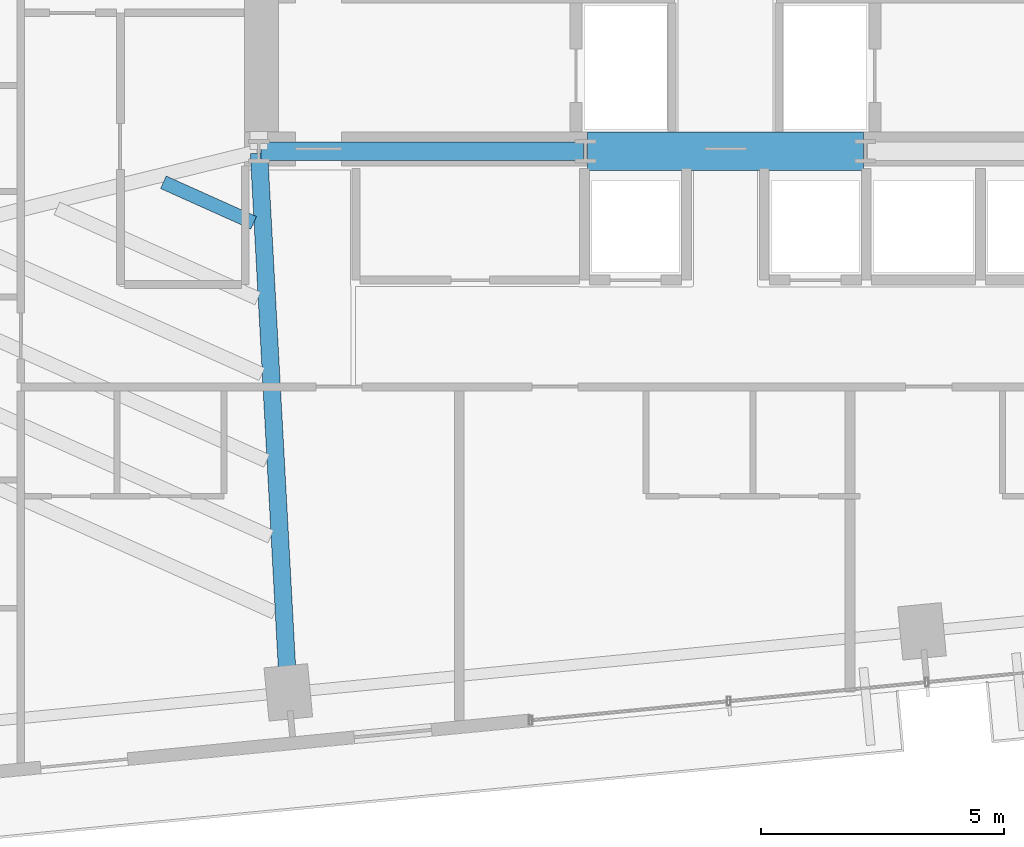
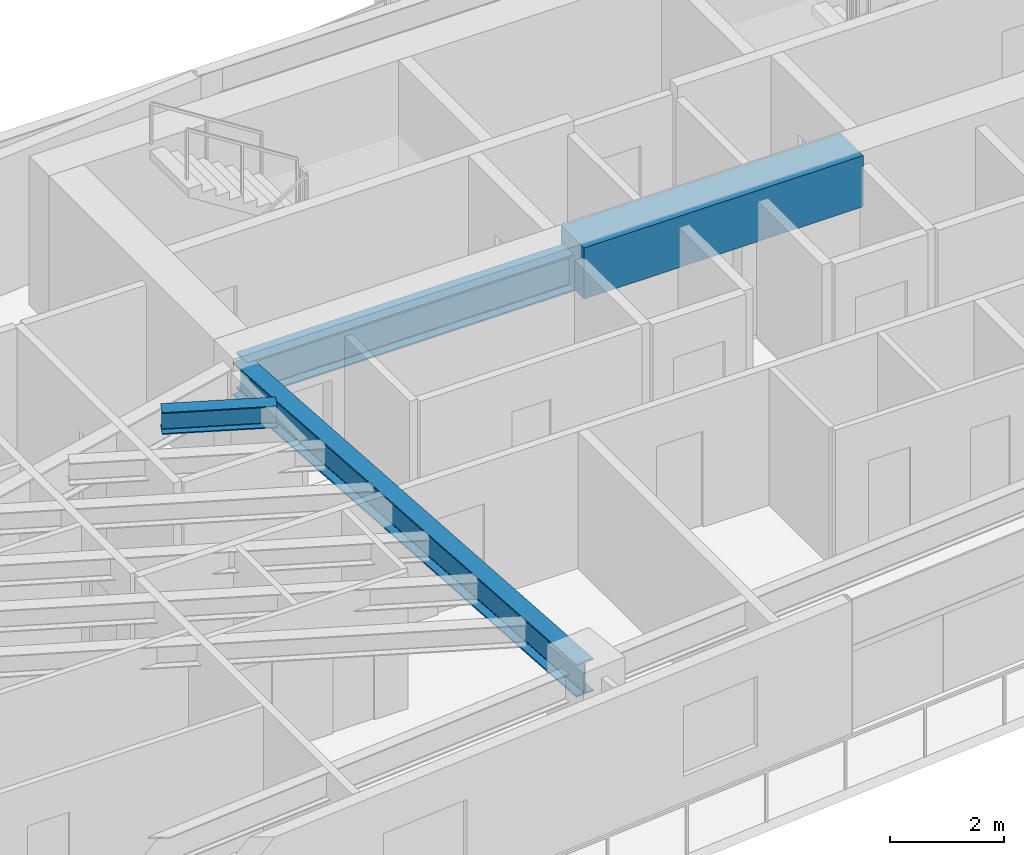
# One storey, part 7 of 25: 4 beams.
"""IFC4 building model written with IfcOpenShell, lengths in metres."""

from ifc_helpers import new_model, si_unit, direction, frame, origin, origin_2d, place, context, subcontext, project, spatial, rectangle, i_section, extrude, source, transform, mapped, material, material_profile, profile_set, type_object, type_shapes, element, save


model = new_model("IFC4")

# Units and contexts
model_context = context("Model", 3, precision=1e-05, world=origin(), true_north=direction((0.0, 1.0)))
body_context = subcontext(model_context, "Body", "Model", "MODEL_VIEW")
ifc_project = project(units=[si_unit("LENGTHUNIT", "METRE"), si_unit("AREAUNIT", "SQUARE_METRE"), si_unit("VOLUMEUNIT", "CUBIC_METRE"), si_unit("PLANEANGLEUNIT", "RADIAN"), si_unit("MASSUNIT", "GRAM", prefix="KILO")], contexts=[model_context])

# Site, building, storey
site_placement = place(None, origin())
site = spatial("IfcSite", under=ifc_project, at=site_placement, CompositionType="ELEMENT")
building_placement = place(site_placement, origin())
building = spatial("IfcBuilding", under=site, at=building_placement, Name="Astriad Promenade Condominiums", CompositionType="ELEMENT")
storey_placement = place(building_placement, frame((0.0, 0.0, 106.60009765625)))
storey = spatial("IfcBuildingStorey", under=building, at=storey_placement, Name="L30", CompositionType="ELEMENT", Elevation=106.60009765625)

# Beams
ifc_material_1 = material(Name="Steel ASTM A992 Grade 50", Category="steel")
ifc_material_profile_1 = material_profile(ifc_material_1, i_section(OverallWidth=0.3837890625, OverallDepth=0.785888671875, WebThickness=0.019775390625, FlangeThickness=0.033447265625, FilletRadius=0.021484375, at=origin_2d()), Name="W30X211")
ifc_profile_set_1 = profile_set([ifc_material_profile_1], Name="Steel ASTM A992 Grade 50")
beam_type_1 = type_object("IfcBeamType", Name="STEEL FLOOR GIRDER W30X211", PredefinedType="BEAM", material=ifc_profile_set_1)
shared_shape_1 = source(origin(), body_context, "Body", "SweptSolid", [
    extrude(i_section(OverallWidth=0.3837890625, OverallDepth=0.785888671875, WebThickness=0.019775390625, FlangeThickness=0.033447265625, FilletRadius=0.021484375, at=origin_2d()), origin(), (0.0, 0.0, 1.0), 6.64013671875),
])
type_shapes(beam_type_1, [shared_shape_1])
beam_1_placement = place(storey_placement, frame((26.43994140625, 17.39990234375, 2.547119140625), z_axis=(1.0, 0.0, 0.0), x_axis=(0.0, 1.0, 0.0)))
element("IfcBeam", 1, at=beam_1_placement, inside=storey, type_object=beam_type_1, Name="Core Ring Beam CG-S1-L30", PredefinedType="BEAM", context=body_context, shape_type="MappedRepresentation", body=[
    mapped(shared_shape_1, transform((0.0, 0.0, 0.0), scale=1.0)),
])
ifc_material_2 = material(Name="Concrete C80/95", Category="concrete")
ifc_material_profile_2 = material_profile(ifc_material_2, rectangle(XDim=0.800048828125, YDim=1.10009765625, at=origin_2d()), Name="RC-BM-800X1100")
ifc_profile_set_2 = profile_set([ifc_material_profile_2], Name="Concrete C80/95")
beam_type_2 = type_object("IfcBeamType", Name="CONCRETE CORE COUPLING LINTEL 800X1100", PredefinedType="LINTEL", material=ifc_profile_set_2)
shared_shape_2 = source(origin(), body_context, "Body", "SweptSolid", [
    extrude(rectangle(XDim=0.800048828125, YDim=1.10009765625, at=origin_2d()), origin(), (0.0, 0.0, 1.0), 5.68017578125),
])
type_shapes(beam_type_2, [shared_shape_2])
beam_2_placement = place(storey_placement, frame((33.159912109375, 17.39990234375, 2.6298828125), z_axis=(1.0, 0.0, 0.0), x_axis=(0.0, 1.0, 0.0)))
element("IfcBeam", 2, at=beam_2_placement, inside=storey, type_object=beam_type_2, Name="Core Ring Beam CG-S2-L30", PredefinedType="LINTEL", context=body_context, shape_type="MappedRepresentation", body=[
    mapped(shared_shape_2, transform((0.0, 0.0, 0.0), scale=1.0)),
])
ifc_material_profile_3 = material_profile(ifc_material_1, i_section(OverallWidth=0.35791015625, OverallDepth=0.706298828125, WebThickness=0.018310546875, FlangeThickness=0.0302734375, FilletRadius=0.020263671875, at=origin_2d()), Name="W27X178")
ifc_profile_set_3 = profile_set([ifc_material_profile_3], Name="Steel ASTM A992 Grade 50")
beam_type_3 = type_object("IfcBeamType", Name="STEEL FLOOR GIRDER W27X178", PredefinedType="BEAM", material=ifc_profile_set_3)
shared_shape_3 = source(origin(), body_context, "Body", "SweptSolid", [
    extrude(i_section(OverallWidth=0.35791015625, OverallDepth=0.706298828125, WebThickness=0.018310546875, FlangeThickness=0.0302734375, FilletRadius=0.020263671875, at=origin_2d()), origin(), (0.0, 0.0, 1.0), 11.071533203125),
])
type_shapes(beam_type_3, [shared_shape_3])
beam_3_placement = place(storey_placement, frame((27.00341796875, 6.304931640625, 2.586669921875), z_axis=(-0.05431219074, 0.998524003686, 0.0), x_axis=(-0.998524003686, -0.05431219074, 0.0)))
element("IfcBeam", 3, at=beam_3_placement, inside=storey, type_object=beam_type_3, Name="Primary Floor Girder PG-W2-L30", PredefinedType="BEAM", context=body_context, shape_type="MappedRepresentation", body=[
    mapped(shared_shape_3, transform((0.0, 0.0, 0.0), scale=1.0)),
])
ifc_material_profile_4 = material_profile(ifc_material_1, i_section(OverallWidth=0.283203125, OverallDepth=0.47216796875, WebThickness=0.013671875, FlangeThickness=0.022216796875, FilletRadius=0.01513671875, at=origin_2d()), Name="W18X97")
ifc_profile_set_4 = profile_set([ifc_material_profile_4], Name="Steel ASTM A992 Grade 50")
beam_type_4 = type_object("IfcBeamType", Name="STEEL FLOOR JOIST W18X97", PredefinedType="JOIST", material=ifc_profile_set_4)
shared_shape_4 = source(origin(), body_context, "Body", "SweptSolid", [
    extrude(i_section(OverallWidth=0.283203125, OverallDepth=0.47216796875, WebThickness=0.013671875, FlangeThickness=0.022216796875, FilletRadius=0.01513671875, at=origin_2d()), origin(), (0.0, 0.0, 1.0), 2.03564453125),
])
type_shapes(beam_type_4, [shared_shape_4])
beam_4_placement = place(storey_placement, frame((24.434814453125, 16.76123046875, 2.703857421875), z_axis=(0.912286908711, -0.409551701492, 0.0), x_axis=(0.409551701492, 0.912286908711, 0.0)))
element("IfcBeam", 4, at=beam_4_placement, inside=storey, type_object=beam_type_4, Name="Secondary Composite Floor Joist JW1-6-L30", PredefinedType="JOIST", context=body_context, shape_type="MappedRepresentation", body=[
    mapped(shared_shape_4, transform((0.0, 0.0, 0.0), scale=1.0)),
])

save(model, "model.ifc")
